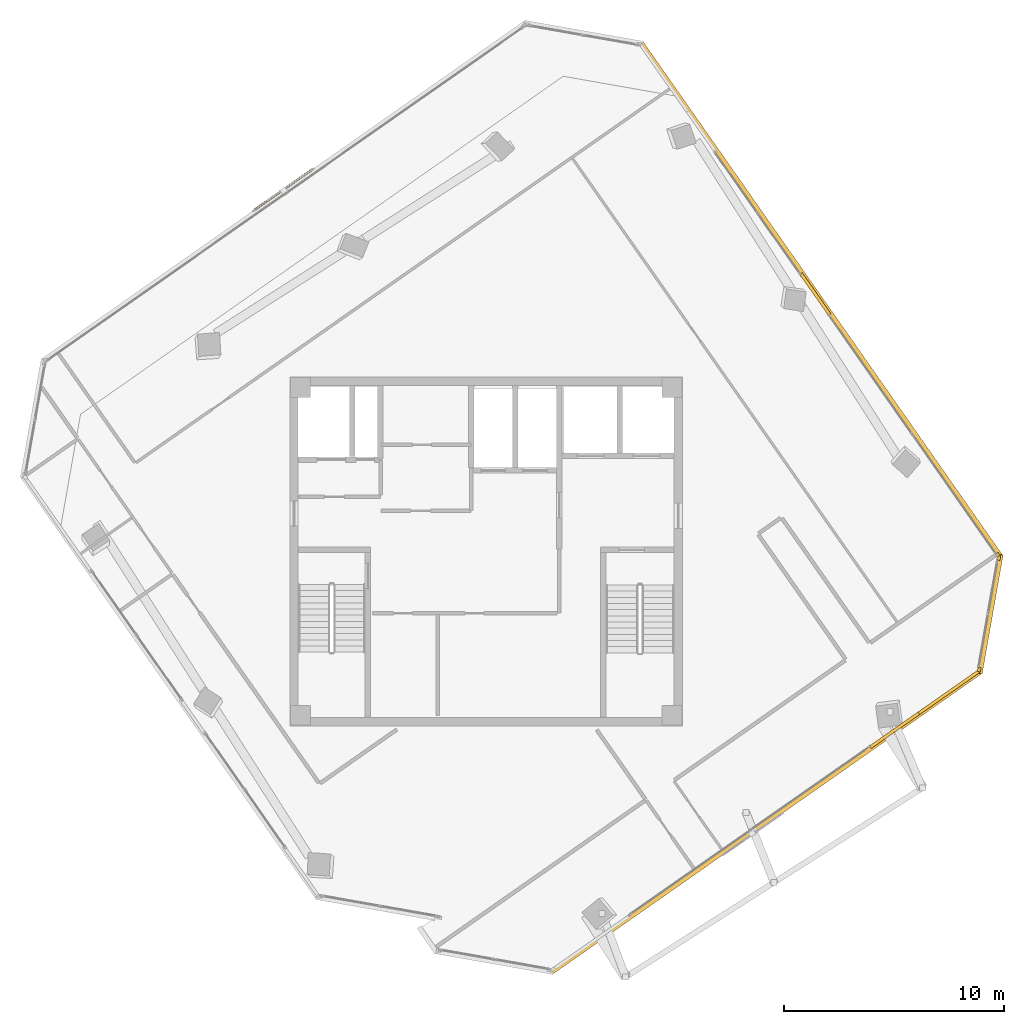
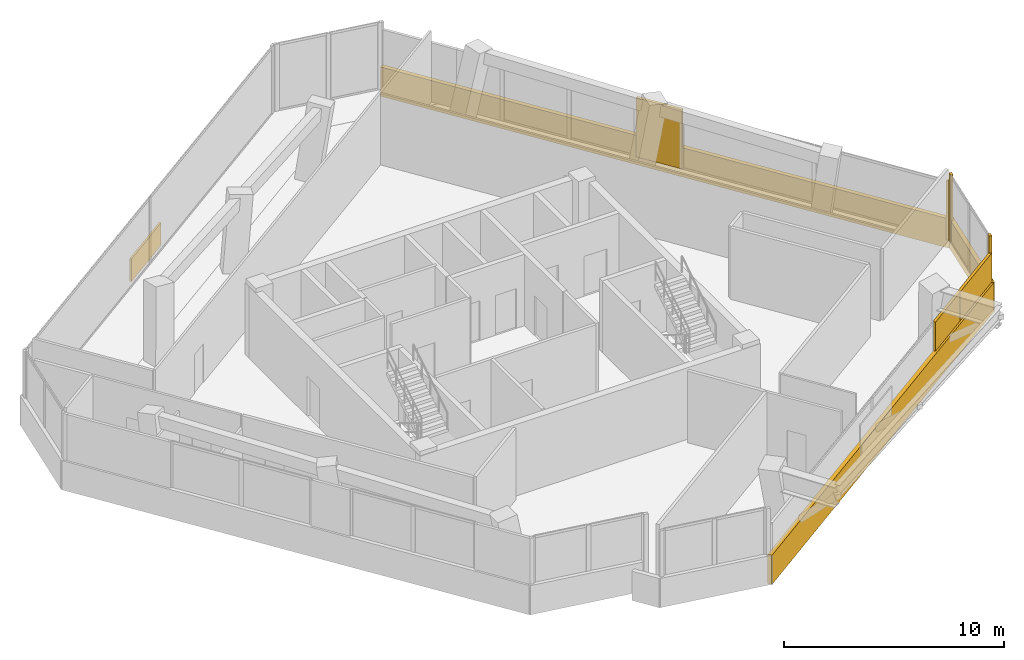
# One storey, part 14 of 15: 9 coverings, 1 shading device.
"""IFC4 building model written with IfcOpenShell, lengths in metres."""

from ifc_helpers import new_model, si_unit, direction, frame, origin, origin_2d, place, context, subcontext, project, spatial, rectangle, extrude, source, transform, mapped, material, layer, layer_set, type_object, element, save


model = new_model("IFC4")

# Units and contexts
model_context = context("Model", 3, precision=1e-05, world=origin(), true_north=direction((0.0, 1.0)))
body_context = subcontext(model_context, "Body", "Model", "MODEL_VIEW")
ifc_project = project(units=[si_unit("LENGTHUNIT", "METRE"), si_unit("AREAUNIT", "SQUARE_METRE"), si_unit("VOLUMEUNIT", "CUBIC_METRE"), si_unit("PLANEANGLEUNIT", "RADIAN"), si_unit("MASSUNIT", "GRAM", prefix="KILO")], contexts=[model_context])

# Site, building, storey
site_placement = place(None, origin())
site = spatial("IfcSite", under=ifc_project, at=site_placement, CompositionType="ELEMENT")
building_placement = place(site_placement, origin())
building = spatial("IfcBuilding", under=site, at=building_placement, Name="Torre Montelarca", CompositionType="ELEMENT")
storey_placement = place(building_placement, frame((0.0, 0.0, 303.0)))
storey = spatial("IfcBuildingStorey", under=building, at=storey_placement, Name="L68", CompositionType="ELEMENT", Elevation=303.0)

# Shading device
ifc_material_1 = material(Name="Architectural perforated terracotta ceramic", Category="masonry")
ifc_layer_1 = layer(ifc_material_1, 0.080078125, Name="Architectural perforated terracotta ceramic", Category="masonry")
ifc_layer_set_1 = layer_set([ifc_layer_1], Name="Architectural perforated terracotta ceramic")
shading_device_type = type_object("IfcShadingDeviceType", Name="SHD-JALOUSIE-1", PredefinedType="JALOUSIE", material=ifc_layer_set_1)
shared_shape_1 = source(origin(), body_context, "Body", "SweptSolid", [
    extrude(rectangle(XDim=3.199951171875, YDim=0.10009765625, at=origin_2d()), origin(), (0.0, 0.0, 1.0), 1.25),
])
shading_device_placement = place(storey_placement, frame((8.761962890625, 48.448486328125, -0.0048828125), z_axis=(0.0, 0.0, 1.0), x_axis=(-0.819151043208, -0.57357786604, 0.0)))
element("IfcShadingDevice", 1, at=shading_device_placement, inside=storey, type_object=shading_device_type, Name="L68 Facade Solar Shading Device E10", PredefinedType="JALOUSIE", context=body_context, shape_type="MappedRepresentation", body=[
    mapped(shared_shape_1, transform((0.0, 0.0, 0.0), scale=1.0)),
])

# Coverings
ifc_material_2 = material(Name="Bush-hammered warm white precast concrete C45/55", Category="concrete")
ifc_layer_2 = layer(ifc_material_2, 0.139892578125, Name="Bush-hammered warm white precast concrete C45/55", Category="concrete")
ifc_layer_set_2 = layer_set([ifc_layer_2], Name="Bush-hammered warm white precast concrete C45/55")
covering_type = type_object("IfcCoveringType", Name="COV-TRAY-CLAD", PredefinedType="CLADDING", material=ifc_layer_set_2)
shared_shape_2 = source(origin(), body_context, "Body", "SweptSolid", [
    extrude(rectangle(XDim=0.199951171875, YDim=0.139892578125, at=origin_2d()), origin(), (0.0, 0.0, 1.0), 3.719970703125),
])
for number, where, z_axis, x_axis, name in (
    (2, (40.422119140625, 26.627197265625, 0.0), (0.0, 0.0, 1.0), (0.173625833043, 0.984811692711, 0.0), "L68 Architectural Column Pier Cladding E07-1"),
    (3, (41.31494140625, 31.69140625, 0.0), (0.0, 0.0, 1.0), (0.173625833043, 0.984811692711, 0.0), "L68 Architectural Column Pier Cladding E07-2"),
):
    element("IfcCovering", number, at=place(storey_placement, frame(where, z_axis=z_axis, x_axis=x_axis)), inside=storey, type_object=covering_type, Name=name, PredefinedType="CLADDING", context=body_context, shape_type="MappedRepresentation", body=[
        mapped(shared_shape_2, transform((0.0, 0.0, 0.0), scale=1.0)),
    ])
shared_shape_3 = source(origin(), body_context, "Body", "SweptSolid", [
    extrude(rectangle(XDim=5.493896484375, YDim=0.219970703125, at=origin_2d()), origin(), (0.0, 0.0, 1.0), 1.6201171875),
])
covering_1_placement = place(storey_placement, frame((40.927490234375, 29.148681640625, -0.449951171875), z_axis=(0.0, 0.0, 1.0), x_axis=(0.173630989503, 0.984810783595, 0.0)))
element("IfcCovering", 4, at=covering_1_placement, inside=storey, type_object=covering_type, Name="L68 Architectural White Spandrel Tray Band TRYBOT-07", PredefinedType="CLADDING", context=body_context, shape_type="MappedRepresentation", body=[
    mapped(shared_shape_3, transform((0.0, 0.0, 0.0), scale=1.0)),
])
shared_shape_4 = source(origin(), body_context, "Body", "SweptSolid", [
    extrude(rectangle(XDim=28.6201171875, YDim=0.219970703125, at=origin_2d()), origin(), (0.0, 0.0, 1.0), 1.6201171875),
])
covering_2_placement = place(storey_placement, frame((33.2255859375, 43.445556640625, -0.449951171875), z_axis=(0.0, 0.0, 1.0), x_axis=(-0.573576436351, 0.819152044289, 0.0)))
element("IfcCovering", 5, at=covering_2_placement, inside=storey, type_object=covering_type, Name="L68 Architectural White Spandrel Tray Band TRYBOT-08", PredefinedType="CLADDING", context=body_context, shape_type="MappedRepresentation", body=[
    mapped(shared_shape_4, transform((0.0, 0.0, 0.0), scale=1.0)),
])
shared_shape_5 = source(origin(), body_context, "Body", "SweptSolid", [
    extrude(rectangle(XDim=23.920166015625, YDim=0.219970703125, at=origin_2d()), origin(), (0.0, 0.0, 1.0), 1.6201171875),
])
covering_3_placement = place(storey_placement, frame((30.725341796875, 19.6962890625, -0.449951171875), z_axis=(0.0, 0.0, 1.0), x_axis=(0.819154046443, 0.573573576968, 0.0)))
element("IfcCovering", 6, at=covering_3_placement, inside=storey, type_object=covering_type, Name="L68 Architectural White Spandrel Tray Band TRYBOT-06", PredefinedType="CLADDING", context=body_context, shape_type="MappedRepresentation", body=[
    mapped(shared_shape_5, transform((0.0, 0.0, 0.0), scale=1.0)),
])
shared_shape_6 = source(origin(), body_context, "Body", "SweptSolid", [
    extrude(rectangle(XDim=2.7001953125, YDim=0.139892578125, at=origin_2d()), origin(), (0.0, 0.0, 1.0), 2.77490234375),
])
covering_4_placement = place(storey_placement, frame((36.572509765625, 23.86376953125, 0.0), z_axis=(0.0, 0.0, 1.0), x_axis=(0.819156048588, 0.573570717577, 0.0)))
element("IfcCovering", 7, at=covering_4_placement, inside=storey, type_object=covering_type, Name="L68 Architectural Column Pier Cladding E06-3", PredefinedType="CLADDING", context=body_context, shape_type="MappedRepresentation", body=[
    mapped(shared_shape_6, transform((0.0, 0.0, 0.0), scale=1.0)),
])
shared_shape_7 = source(origin(), body_context, "Body", "SweptSolid", [
    extrude(rectangle(XDim=3.4541015625, YDim=0.139892578125, at=origin_2d()), origin(), (0.0, 0.0, 1.0), 2.77490234375),
])
covering_5_placement = place(storey_placement, frame((39.01123046875, 25.5712890625, 0.0), z_axis=(0.0, 0.0, 1.0), x_axis=(0.819156048588, 0.573570717577, 0.0)))
element("IfcCovering", 8, at=covering_5_placement, inside=storey, type_object=covering_type, Name="L68 Architectural Column Pier Cladding E06-4", PredefinedType="CLADDING", context=body_context, shape_type="MappedRepresentation", body=[
    mapped(shared_shape_7, transform((0.0, 0.0, 0.0), scale=1.0)),
])
shared_shape_8 = source(origin(), body_context, "Body", "SweptSolid", [
    extrude(rectangle(XDim=0.199951171875, YDim=0.139892578125, at=origin_2d()), origin(), (0.0, 0.0, 1.0), 3.27490234375),
])
covering_6_placement = place(storey_placement, frame((41.283447265625, 31.8330078125, 0.0), z_axis=(0.0, 0.0, 1.0), x_axis=(-0.573573576968, 0.819154046443, 0.0)))
element("IfcCovering", 9, at=covering_6_placement, inside=storey, type_object=covering_type, Name="L68 Architectural Column Pier Cladding E08-1", PredefinedType="CLADDING", context=body_context, shape_type="MappedRepresentation", body=[
    mapped(shared_shape_8, transform((0.0, 0.0, 0.0), scale=1.0)),
])
shared_shape_9 = source(origin(), body_context, "Body", "SweptSolid", [
    extrude(rectangle(XDim=2.2919921875, YDim=0.139892578125, at=origin_2d()), origin(), (0.0, 0.0, 1.0), 3.27490234375),
])
covering_7_placement = place(storey_placement, frame((32.974609375, 43.69921875, 0.0), z_axis=(0.0, 0.0, 1.0), x_axis=(-0.573573576968, 0.819154046443, 0.0)))
element("IfcCovering", 10, at=covering_7_placement, inside=storey, type_object=covering_type, Name="L68 Architectural Column Pier Cladding E08-2", PredefinedType="CLADDING", context=body_context, shape_type="MappedRepresentation", body=[
    mapped(shared_shape_9, transform((0.0, 0.0, 0.0), scale=1.0)),
])

save(model, "model.ifc")
